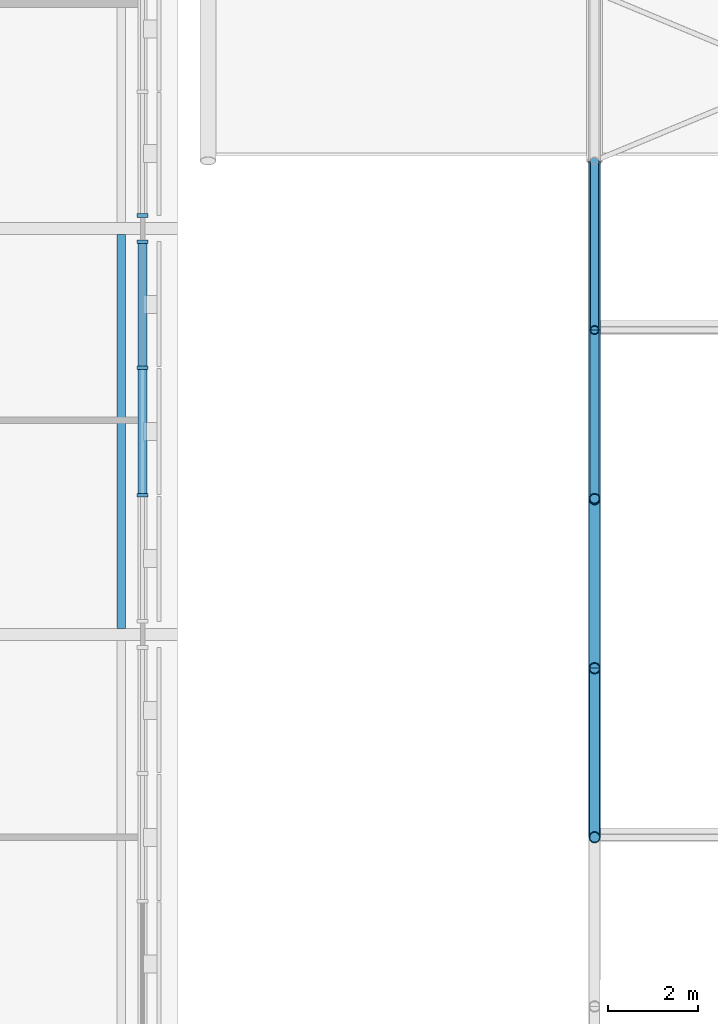
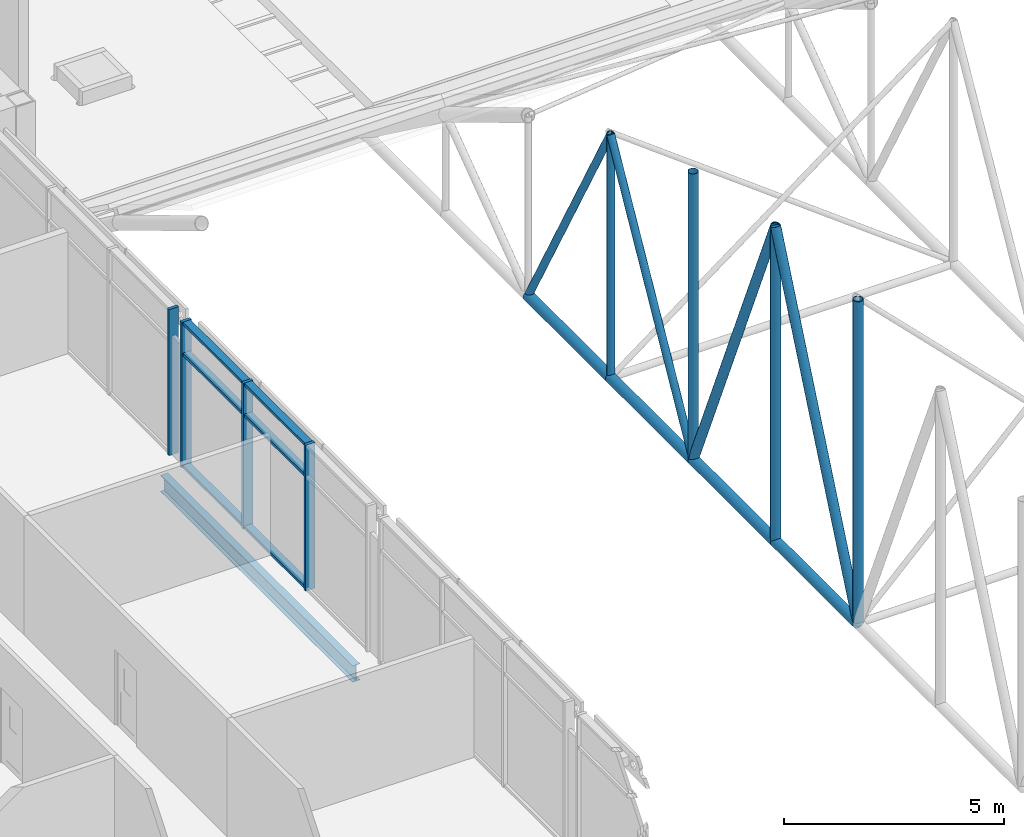
# One storey, part 28 of 153: 22 members, 1 beam, 2 elements without a shape of their own.
"""IFC4 building model written with IfcOpenShell, lengths in metres."""

from ifc_helpers import new_model, si_unit, direction, frame, origin, origin_2d, place, context, subcontext, project, spatial, rectangle, hollow_circle, i_section, extrude, material, material_profile, profile_set, type_object, element, aggregate, save


model = new_model("IFC4")

# Units and contexts
model_context = context("Model", 3, precision=1e-05, world=origin(), true_north=direction((0.0, 1.0)))
body_context = subcontext(model_context, "Body", "Model", "MODEL_VIEW")
ifc_project = project(units=[si_unit("LENGTHUNIT", "METRE"), si_unit("AREAUNIT", "SQUARE_METRE"), si_unit("VOLUMEUNIT", "CUBIC_METRE"), si_unit("PLANEANGLEUNIT", "RADIAN"), si_unit("MASSUNIT", "GRAM", prefix="KILO")], contexts=[model_context])

# Site, building, storey
site_placement = place(None, origin())
site = spatial("IfcSite", under=ifc_project, at=site_placement, CompositionType="ELEMENT")
building_placement = place(site_placement, origin())
building = spatial("IfcBuilding", under=site, at=building_placement, Name="Baradari Gate Terminus", CompositionType="ELEMENT")
storey_placement = place(building_placement, frame((0.0, 0.0, 11.699951171875)))
storey = spatial("IfcBuildingStorey", under=building, at=storey_placement, Name="L02", CompositionType="ELEMENT", Elevation=11.699951171875)

# Curtain wall, members
ifc_material_1 = material(Name="Aluminium 6063-T6", Category="aluminium")
curtain_wall_type = type_object("IfcCurtainWallType", Name="Curtain wall CW-3 gate face, office floors", PredefinedType="NOTDEFINED", material=ifc_material_1)
curtain_wall_1_placement = place(storey_placement, origin())
curtain_wall_1 = element("IfcCurtainWall", 1, at=curtain_wall_1_placement, inside=storey, type_object=curtain_wall_type, Name="Curtain wall CW-3 gate east face L02 bay 4", PredefinedType="NOTDEFINED")
ifc_material_2 = material(Name="Aluminium 6063-T6", Category="aluminium")
ifc_material_profile_1 = material_profile(ifc_material_2, rectangle(XDim=0.25, YDim=0.080078125, at=origin_2d()), Name="CM-3 80X250")
ifc_profile_set_1 = profile_set([ifc_material_profile_1], Name="Aluminium 6063-T6")
member_type_1 = type_object("IfcMemberType", Name="Curtain wall mullion CM-3 80x250", PredefinedType="MULLION", material=ifc_profile_set_1)
member_1_placement = place(storey_placement, frame((88.97509765625, 66.083251953125, 0.0), z_axis=(0.0, 0.0, 1.0), x_axis=(-1.0, 0.0, 0.0)))
member_1 = element("IfcMember", 2, at=member_1_placement, type_object=member_type_1, Name="CW-3 mullion 2", PredefinedType="MULLION", context=body_context, shape_type="SweptSolid", body=[
    extrude(rectangle(XDim=0.25, YDim=0.080078125, at=origin_2d()), origin(), (0.0, 0.0, 1.0), 4.050048828125),
])
member_2_placement = place(storey_placement, frame((88.97509765625, 68.916748046875, 0.0), z_axis=(0.0, 0.0, 1.0), x_axis=(-1.0, 0.0, 0.0)))
member_2 = element("IfcMember", 3, at=member_2_placement, type_object=member_type_1, Name="CW-3 mullion 3", PredefinedType="MULLION", context=body_context, shape_type="SweptSolid", body=[
    extrude(rectangle(XDim=0.25, YDim=0.080078125, at=origin_2d()), origin(), (0.0, 0.0, 1.0), 4.050048828125),
])
member_3_placement = place(storey_placement, frame((88.97509765625, 71.7099609375, 0.0), z_axis=(0.0, 0.0, 1.0), x_axis=(-1.0, 0.0, 0.0)))
member_3 = element("IfcMember", 4, at=member_3_placement, type_object=member_type_1, Name="CW-3 mullion 4", PredefinedType="MULLION", context=body_context, shape_type="SweptSolid", body=[
    extrude(rectangle(XDim=0.25, YDim=0.080078125, at=origin_2d()), origin(), (0.0, 0.0, 1.0), 4.050048828125),
])

# Curtain wall, member
curtain_wall_2_placement = place(storey_placement, origin())
curtain_wall_2 = element("IfcCurtainWall", 5, at=curtain_wall_2_placement, inside=storey, type_object=curtain_wall_type, Name="Curtain wall CW-3 gate east face L02 bay 5", PredefinedType="NOTDEFINED")
member_4_placement = place(storey_placement, frame((88.97509765625, 72.2900390625, 0.0), z_axis=(0.0, 0.0, 1.0), x_axis=(-1.0, 0.0, 0.0)))
member_4 = element("IfcMember", 6, at=member_4_placement, type_object=member_type_1, Name="CW-3 mullion 1", PredefinedType="MULLION", context=body_context, shape_type="SweptSolid", body=[
    extrude(rectangle(XDim=0.25, YDim=0.080078125, at=origin_2d()), origin(), (0.0, 0.0, 1.0), 4.050048828125),
])
aggregate(curtain_wall_2, [member_4])

# Member
ifc_material_3 = material(Name="Aluminium 6063-T6", Category="aluminium")
ifc_material_profile_2 = material_profile(ifc_material_3, rectangle(XDim=0.199951171875, YDim=0.080078125, at=origin_2d()), Name="CT-3 80X200")
ifc_profile_set_2 = profile_set([ifc_material_profile_2], Name="Aluminium 6063-T6")
member_type_2 = type_object("IfcMemberType", Name="Curtain wall transom CT-3 80x200", PredefinedType="USERDEFINED", material=ifc_profile_set_2)
member_5_placement = place(storey_placement, frame((88.97509765625, 66.123291015625, 0.0400390625), z_axis=(0.0, 1.0, 0.0), x_axis=(-1.0, 0.0, 0.0)))
member_5 = element("IfcMember", 7, at=member_5_placement, type_object=member_type_2, Name="CW-3 transom 2.1", ObjectType="TRANSOM", PredefinedType="USERDEFINED", context=body_context, shape_type="SweptSolid", body=[
    extrude(rectangle(XDim=0.199951171875, YDim=0.080078125, at=origin_2d()), origin(), (0.0, 0.0, 1.0), 2.75341796875),
])

member_6_placement = place(storey_placement, frame((88.97509765625, 66.123291015625, 3.150146484375), z_axis=(0.0, 1.0, 0.0), x_axis=(-1.0, 0.0, 0.0)))
member_6 = element("IfcMember", 8, at=member_6_placement, type_object=member_type_2, Name="CW-3 transom 2.2", ObjectType="TRANSOM", PredefinedType="USERDEFINED", context=body_context, shape_type="SweptSolid", body=[
    extrude(rectangle(XDim=0.199951171875, YDim=0.080078125, at=origin_2d()), origin(), (0.0, 0.0, 1.0), 2.75341796875),
])

member_7_placement = place(storey_placement, frame((88.97509765625, 66.123291015625, 4.010009765625), z_axis=(0.0, 1.0, 0.0), x_axis=(-1.0, 0.0, 0.0)))
member_7 = element("IfcMember", 9, at=member_7_placement, type_object=member_type_2, Name="CW-3 transom 2.3", ObjectType="TRANSOM", PredefinedType="USERDEFINED", context=body_context, shape_type="SweptSolid", body=[
    extrude(rectangle(XDim=0.199951171875, YDim=0.080078125, at=origin_2d()), origin(), (0.0, 0.0, 1.0), 2.75341796875),
])

member_8_placement = place(storey_placement, frame((88.97509765625, 68.956787109375, 0.0400390625), z_axis=(0.0, 1.0, 0.0), x_axis=(-1.0, 0.0, 0.0)))
member_8 = element("IfcMember", 10, at=member_8_placement, type_object=member_type_2, Name="CW-3 transom 3.1", ObjectType="TRANSOM", PredefinedType="USERDEFINED", context=body_context, shape_type="SweptSolid", body=[
    extrude(rectangle(XDim=0.199951171875, YDim=0.080078125, at=origin_2d()), origin(), (0.0, 0.0, 1.0), 2.713134765625),
])

member_9_placement = place(storey_placement, frame((88.97509765625, 68.956787109375, 3.150146484375), z_axis=(0.0, 1.0, 0.0), x_axis=(-1.0, 0.0, 0.0)))
member_9 = element("IfcMember", 11, at=member_9_placement, type_object=member_type_2, Name="CW-3 transom 3.2", ObjectType="TRANSOM", PredefinedType="USERDEFINED", context=body_context, shape_type="SweptSolid", body=[
    extrude(rectangle(XDim=0.199951171875, YDim=0.080078125, at=origin_2d()), origin(), (0.0, 0.0, 1.0), 2.713134765625),
])

member_10_placement = place(storey_placement, frame((88.97509765625, 68.956787109375, 4.010009765625), z_axis=(0.0, 1.0, 0.0), x_axis=(-1.0, 0.0, 0.0)))
member_10 = element("IfcMember", 12, at=member_10_placement, type_object=member_type_2, Name="CW-3 transom 3.3", ObjectType="TRANSOM", PredefinedType="USERDEFINED", context=body_context, shape_type="SweptSolid", body=[
    extrude(rectangle(XDim=0.199951171875, YDim=0.080078125, at=origin_2d()), origin(), (0.0, 0.0, 1.0), 2.713134765625),
])

aggregate(curtain_wall_1, [member_1, member_2, member_3, member_5, member_6, member_7, member_8, member_9, member_10])

# Beam
ifc_material_4 = material(Name="Steel S355", Category="steel")
ifc_material_profile_3 = material_profile(ifc_material_4, i_section(OverallWidth=0.19140625, OverallDepth=0.4599609375, WebThickness=0.010009765625, FlangeThickness=0.01611328125, FilletRadius=0.01025390625, at=origin_2d()), Name="UB 457x191x82")
ifc_profile_set_3 = profile_set([ifc_material_profile_3], Name="Steel S355")
beam_type = type_object("IfcBeamType", Name="Gate secondary beam B31 UB 457x191x82", PredefinedType="BEAM", material=ifc_profile_set_3)
beam_placement = place(storey_placement, frame((88.5, 63.13330078125, -0.3798828125), z_axis=(0.0, 1.0, 0.0), x_axis=(-1.0, 0.0, 0.0)))
element("IfcBeam", 13, at=beam_placement, inside=storey, type_object=beam_type, Name="Gate secondary beam B31 88.5:63.133-71.867 L02", PredefinedType="BEAM", context=body_context, shape_type="SweptSolid", body=[
    extrude(i_section(OverallWidth=0.19140625, OverallDepth=0.4599609375, WebThickness=0.010009765625, FlangeThickness=0.01611328125, FilletRadius=0.01025390625, at=origin_2d()), origin(), (0.0, 0.0, 1.0), 8.7333984375),
])

# Members
ifc_material_5 = material(Name="Steel S355", Category="steel")
ifc_material_profile_4 = material_profile(ifc_material_5, hollow_circle(Radius=0.136474609375, WallThickness=0.012451171875, at=origin_2d()), Name="CHS 273x12.5")
ifc_profile_set_4 = profile_set([ifc_material_profile_4], Name="Steel S355")
member_type_3 = type_object("IfcMemberType", Name="Shed bottom chord CHS 273x12.5", PredefinedType="CHORD", material=ifc_profile_set_4)
for number, where, z_axis, x_axis, name in (
    (14, (99.0, 58.5, 0.136474609375), (0.0, 1.0, 0.0), (-1.0, 0.0, 0.0), "TR/L02/S99-BC06"),
    (15, (99.0, 62.25, 0.136474609375), (0.0, 1.0, 0.0), (-1.0, 0.0, 0.0), "TR/L02/S99-BC07"),
    (16, (99.0, 66.0, 0.136474609375), (0.0, 1.0, 0.0), (-1.0, 0.0, 0.0), "TR/L02/S99-BC08"),
    (17, (99.0, 69.75, 0.136474609375), (0.0, 1.0, 0.0), (-1.0, 0.0, 0.0), "TR/L02/S99-BC09"),
):
    element("IfcMember", number, at=place(storey_placement, frame(where, z_axis=z_axis, x_axis=x_axis)), inside=storey, type_object=member_type_3, Name=name, PredefinedType="CHORD", context=body_context, shape_type="SweptSolid", body=[
        extrude(hollow_circle(Radius=0.136474609375, WallThickness=0.012451171875, at=origin_2d()), origin(), (0.0, 0.0, 1.0), 3.75),
    ])
ifc_material_6 = material(Name="Steel S355", Category="steel")
ifc_material_profile_5 = material_profile(ifc_material_6, hollow_circle(Radius=0.096923828125, WallThickness=0.008056640625, at=origin_2d()), Name="CHS 193.7x8")
ifc_profile_set_5 = profile_set([ifc_material_profile_5], Name="Steel S355")
member_type_4 = type_object("IfcMemberType", Name="Shed truss diagonal CHS 193.7x8", PredefinedType="BRACE", material=ifc_profile_set_5)
for number, where, z_axis, x_axis, name in (
    (18, (99.0, 69.75, 6.886474609375), (0.0, -0.485642931179, -0.874157276122), (1.0, 0.0, 0.0), "TR/L02/S99-SD08"),
    (19, (99.0, 69.75, 6.886474609375), (0.0, 0.485642931179, -0.874157276122), (-1.0, 0.0, 0.0), "TR/L02/S99-SD09"),
):
    element("IfcMember", number, at=place(storey_placement, frame(where, z_axis=z_axis, x_axis=x_axis)), inside=storey, type_object=member_type_4, Name=name, PredefinedType="BRACE", context=body_context, shape_type="SweptSolid", body=[
        extrude(hollow_circle(Radius=0.096923828125, WallThickness=0.008056640625, at=origin_2d()), origin(), (0.0, 0.0, 1.0), 7.7216796875),
    ])
ifc_material_7 = material(Name="Steel S355", Category="steel")
ifc_material_profile_6 = material_profile(ifc_material_7, hollow_circle(Radius=0.122314453125, WallThickness=0.010009765625, at=origin_2d()), Name="CHS 244.5x10")
ifc_profile_set_6 = profile_set([ifc_material_profile_6], Name="Steel S355")
member_type_5 = type_object("IfcMemberType", Name="Shed truss diagonal CHS 244.5x10", PredefinedType="BRACE", material=ifc_profile_set_6)
for number, where, z_axis, x_axis, name in (
    (20, (99.0, 62.25, 8.886474609375), (0.0, -0.393919298579, -0.919145030018), (1.0, 0.0, 0.0), "TR/L02/S99-SD06"),
    (21, (99.0, 62.25, 8.886474609375), (0.0, 0.393919298579, -0.919145030018), (-1.0, 0.0, 0.0), "TR/L02/S99-SD07"),
):
    element("IfcMember", number, at=place(storey_placement, frame(where, z_axis=z_axis, x_axis=x_axis)), inside=storey, type_object=member_type_5, Name=name, PredefinedType="BRACE", context=body_context, shape_type="SweptSolid", body=[
        extrude(hollow_circle(Radius=0.122314453125, WallThickness=0.010009765625, at=origin_2d()), origin(), (0.0, 0.0, 1.0), 9.519775390625),
    ])
ifc_material_8 = material(Name="Steel S355", Category="steel")
ifc_material_profile_7 = material_profile(ifc_material_8, hollow_circle(Radius=0.096923828125, WallThickness=0.008056640625, at=origin_2d()), Name="CHS 193.7x8")
ifc_profile_set_7 = profile_set([ifc_material_profile_7], Name="Steel S355")
member_type_6 = type_object("IfcMemberType", Name="Shed truss post CHS 193.7x8", PredefinedType="POST", material=ifc_profile_set_7)
member_11_placement = place(storey_placement, frame((99.0, 69.75, 0.136474609375), z_axis=(0.0, 0.0, 1.0), x_axis=(1.0, 0.0, 0.0)))
element("IfcMember", 22, at=member_11_placement, inside=storey, type_object=member_type_6, Name="TR/L02/S99-SP09", PredefinedType="POST", context=body_context, shape_type="SweptSolid", body=[
    extrude(hollow_circle(Radius=0.096923828125, WallThickness=0.008056640625, at=origin_2d()), origin(), (0.0, 0.0, 1.0), 6.75),
])
ifc_material_9 = material(Name="Steel S355", Category="steel")
ifc_material_profile_8 = material_profile(ifc_material_9, hollow_circle(Radius=0.122314453125, WallThickness=0.010009765625, at=origin_2d()), Name="CHS 244.5x10")
ifc_profile_set_8 = profile_set([ifc_material_profile_8], Name="Steel S355")
member_type_7 = type_object("IfcMemberType", Name="Shed truss post CHS 244.5x10", PredefinedType="POST", material=ifc_profile_set_8)
member_12_placement = place(storey_placement, frame((99.0, 58.5, 0.136474609375), z_axis=(0.0, 0.0, 1.0), x_axis=(1.0, 0.0, 0.0)))
element("IfcMember", 23, at=member_12_placement, inside=storey, type_object=member_type_7, Name="TR/L02/S99-SP06", PredefinedType="POST", context=body_context, shape_type="SweptSolid", body=[
    extrude(hollow_circle(Radius=0.122314453125, WallThickness=0.010009765625, at=origin_2d()), origin(), (0.0, 0.0, 1.0), 9.0),
])
member_13_placement = place(storey_placement, frame((99.0, 62.25, 0.136474609375), z_axis=(0.0, 0.0, 1.0), x_axis=(1.0, 0.0, 0.0)))
element("IfcMember", 24, at=member_13_placement, inside=storey, type_object=member_type_7, Name="TR/L02/S99-SP07", PredefinedType="POST", context=body_context, shape_type="SweptSolid", body=[
    extrude(hollow_circle(Radius=0.122314453125, WallThickness=0.010009765625, at=origin_2d()), origin(), (0.0, 0.0, 1.0), 8.75),
])
member_14_placement = place(storey_placement, frame((99.0, 66.0, 0.136474609375), z_axis=(0.0, 0.0, 1.0), x_axis=(1.0, 0.0, 0.0)))
element("IfcMember", 25, at=member_14_placement, inside=storey, type_object=member_type_7, Name="TR/L02/S99-SP08", PredefinedType="POST", context=body_context, shape_type="SweptSolid", body=[
    extrude(hollow_circle(Radius=0.122314453125, WallThickness=0.010009765625, at=origin_2d()), origin(), (0.0, 0.0, 1.0), 8.0),
])

save(model, "model.ifc")
